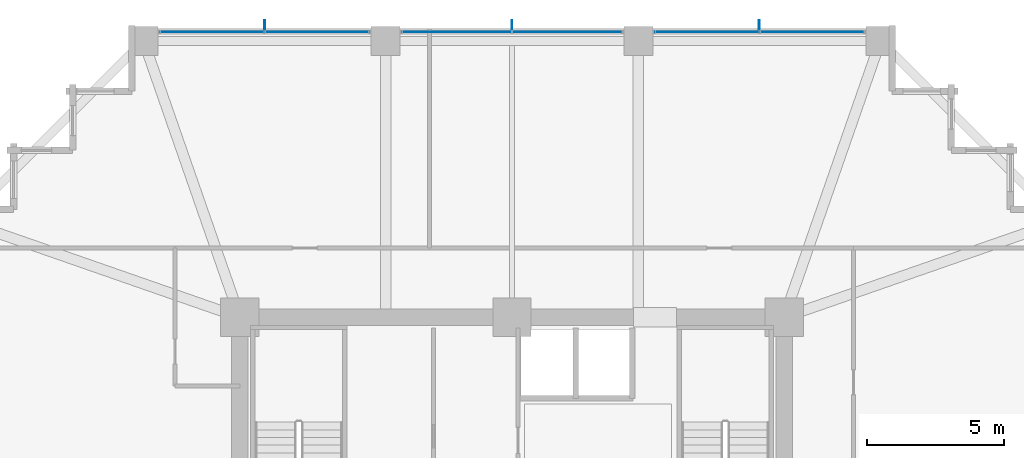
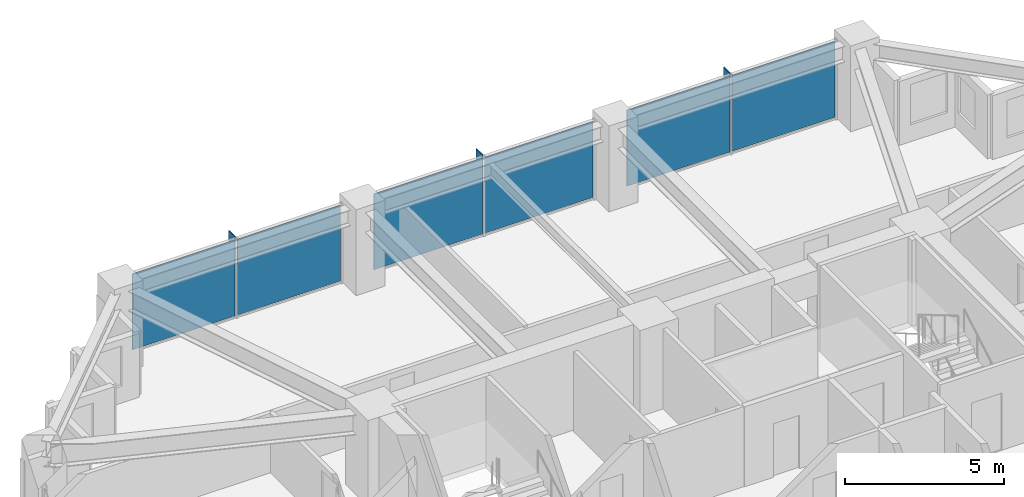
# One storey, part 29 of 36: 9 plates, 3 elements without a shape of their own.
"""IFC4 building model written with IfcOpenShell, lengths in metres."""

from ifc_helpers import new_model, si_unit, direction, frame, origin, origin_2d, place, context, subcontext, project, spatial, rectangle, extrude, material, layer, layer_set, type_object, element, aggregate, save


model = new_model("IFC4")

# Units and contexts
model_context = context("Model", 3, precision=1e-05, world=origin(), true_north=direction((0.0, 1.0)))
body_context = subcontext(model_context, "Body", "Model", "MODEL_VIEW")
ifc_project = project(units=[si_unit("LENGTHUNIT", "METRE"), si_unit("AREAUNIT", "SQUARE_METRE"), si_unit("VOLUMEUNIT", "CUBIC_METRE"), si_unit("PLANEANGLEUNIT", "RADIAN"), si_unit("MASSUNIT", "GRAM", prefix="KILO")], contexts=[model_context])

# Site, building, storey
site_placement = place(None, origin())
site = spatial("IfcSite", under=ifc_project, at=site_placement, CompositionType="ELEMENT")
building_placement = place(site_placement, origin())
building = spatial("IfcBuilding", under=site, at=building_placement, Name="Kolvaren Belvedere", CompositionType="ELEMENT")
storey_placement = place(building_placement, frame((0.0, 0.0, 95.300048828125)))
storey = spatial("IfcBuildingStorey", under=building, at=storey_placement, Name="L27", CompositionType="ELEMENT", Elevation=95.300048828125)

# Curtain wall, plates
ifc_material_1 = material(Name="Anodised pale-metal aluminium AA 6063-T6", Category="aluminium")
curtain_wall_type = type_object("IfcCurtainWallType", Name="CW-Z2-MID", PredefinedType="NOTDEFINED", material=ifc_material_1)
curtain_wall_1_placement = place(storey_placement, origin())
curtain_wall_1 = element("IfcCurtainWall", 1, at=curtain_wall_1_placement, inside=storey, type_object=curtain_wall_type, Name="L27 Unitised Curtain Wall FCW-L27-N-B1", PredefinedType="NOTDEFINED")
ifc_material_2 = material(Name="Low-iron triple insulated glass", Category="glass")
ifc_layer_1 = layer(ifc_material_2, 0.028076171875)
ifc_layer_set_1 = layer_set([ifc_layer_1], Name="Low-iron triple insulated glass")
plate_type_1 = type_object("IfcPlateType", Name="CW-PNL-VIS28", PredefinedType="CURTAIN_PANEL", material=ifc_layer_set_1)
plate_1_placement = place(storey_placement, frame((-10.9111328125, 20.280029296875, 0.080078125), z_axis=(0.0, 0.0, 1.0), x_axis=(1.0, 0.0, 0.0)))
plate_1 = element("IfcPlate", 2, at=plate_1_placement, type_object=plate_type_1, Name="FCW-L27-N-B1 Vision Glazing Panel 1", PredefinedType="CURTAIN_PANEL", context=body_context, shape_type="SweptSolid", body=[
    extrude(rectangle(XDim=3.742431640625, YDim=0.028076171875, at=origin_2d()), origin(), (0.0, 0.0, 1.0), 2.919921875),
])
plate_2_placement = place(storey_placement, frame((-7.0888671875, 20.280029296875, 0.080078125), z_axis=(0.0, 0.0, 1.0), x_axis=(1.0, 0.0, 0.0)))
plate_2 = element("IfcPlate", 3, at=plate_2_placement, type_object=plate_type_1, Name="FCW-L27-N-B1 Vision Glazing Panel 2", PredefinedType="CURTAIN_PANEL", context=body_context, shape_type="SweptSolid", body=[
    extrude(rectangle(XDim=3.742431640625, YDim=0.028076171875, at=origin_2d()), origin(), (0.0, 0.0, 1.0), 2.919921875),
])
aggregate(curtain_wall_1, [plate_1, plate_2])

curtain_wall_2_placement = place(storey_placement, origin())
curtain_wall_2 = element("IfcCurtainWall", 4, at=curtain_wall_2_placement, inside=storey, type_object=curtain_wall_type, Name="L27 Unitised Curtain Wall FCW-L27-N-B2", PredefinedType="NOTDEFINED")
plate_3_placement = place(storey_placement, frame((-2.01123046875, 20.280029296875, 0.080078125), z_axis=(0.0, 0.0, 1.0), x_axis=(1.0, 0.0, 0.0)))
plate_3 = element("IfcPlate", 5, at=plate_3_placement, type_object=plate_type_1, Name="FCW-L27-N-B2 Vision Glazing Panel 1", PredefinedType="CURTAIN_PANEL", context=body_context, shape_type="SweptSolid", body=[
    extrude(rectangle(XDim=3.9423828125, YDim=0.028076171875, at=origin_2d()), origin(), (0.0, 0.0, 1.0), 2.919921875),
])
plate_4_placement = place(storey_placement, frame((2.01123046875, 20.280029296875, 0.080078125), z_axis=(0.0, 0.0, 1.0), x_axis=(1.0, 0.0, 0.0)))
plate_4 = element("IfcPlate", 6, at=plate_4_placement, type_object=plate_type_1, Name="FCW-L27-N-B2 Vision Glazing Panel 2", PredefinedType="CURTAIN_PANEL", context=body_context, shape_type="SweptSolid", body=[
    extrude(rectangle(XDim=3.9423828125, YDim=0.028076171875, at=origin_2d()), origin(), (0.0, 0.0, 1.0), 2.919921875),
])
aggregate(curtain_wall_2, [plate_3, plate_4])

curtain_wall_3_placement = place(storey_placement, origin())
curtain_wall_3 = element("IfcCurtainWall", 7, at=curtain_wall_3_placement, inside=storey, type_object=curtain_wall_type, Name="L27 Unitised Curtain Wall FCW-L27-N-B3", PredefinedType="NOTDEFINED")
plate_5_placement = place(storey_placement, frame((7.0888671875, 20.280029296875, 0.080078125), z_axis=(0.0, 0.0, 1.0), x_axis=(1.0, 0.0, 0.0)))
plate_5 = element("IfcPlate", 8, at=plate_5_placement, type_object=plate_type_1, Name="FCW-L27-N-B3 Vision Glazing Panel 1", PredefinedType="CURTAIN_PANEL", context=body_context, shape_type="SweptSolid", body=[
    extrude(rectangle(XDim=3.742431640625, YDim=0.028076171875, at=origin_2d()), origin(), (0.0, 0.0, 1.0), 2.919921875),
])
plate_6_placement = place(storey_placement, frame((10.9111328125, 20.280029296875, 0.080078125), z_axis=(0.0, 0.0, 1.0), x_axis=(1.0, 0.0, 0.0)))
plate_6 = element("IfcPlate", 9, at=plate_6_placement, type_object=plate_type_1, Name="FCW-L27-N-B3 Vision Glazing Panel 2", PredefinedType="CURTAIN_PANEL", context=body_context, shape_type="SweptSolid", body=[
    extrude(rectangle(XDim=3.742431640625, YDim=0.028076171875, at=origin_2d()), origin(), (0.0, 0.0, 1.0), 2.919921875),
])
aggregate(curtain_wall_3, [plate_5, plate_6])

# Plates
ifc_material_3 = material(Name="Anodised pale-metal aluminium AA 6063-T6", Category="aluminium")
ifc_layer_2 = layer(ifc_material_3, 0.033935546875)
ifc_layer_set_2 = layer_set([ifc_layer_2], Name="Anodised pale-metal aluminium AA 6063-T6")
plate_type_2 = type_object("IfcPlateType", Name="FIN-VERT-380", PredefinedType="USERDEFINED", material=ifc_layer_set_2)
for number, where, z_axis, x_axis, name in (
    (10, (-9.0, 20.52490234375, 0.0), (0.0, 0.0, 1.0), (0.0, 1.0, 0.0), "L27 Pale-Metal Vertical Shading Fin FCW-L27-N-B1-1"),
    (11, (0.0, 20.52490234375, 0.0), (0.0, 0.0, 1.0), (0.0, 1.0, 0.0), "L27 Pale-Metal Vertical Shading Fin FCW-L27-N-B2-1"),
    (12, (9.0, 20.52490234375, 0.0), (0.0, 0.0, 1.0), (0.0, 1.0, 0.0), "L27 Pale-Metal Vertical Shading Fin FCW-L27-N-B3-1"),
):
    element("IfcPlate", number, at=place(storey_placement, frame(where, z_axis=z_axis, x_axis=x_axis)), inside=storey, type_object=plate_type_2, Name=name, ObjectType="VERTICAL FIN", PredefinedType="USERDEFINED", context=body_context, shape_type="SweptSolid", body=[
        extrude(rectangle(XDim=0.3798828125, YDim=0.033935546875, at=origin_2d()), origin(), (0.0, 0.0, 1.0), 3.080078125),
    ])

save(model, "model.ifc")
